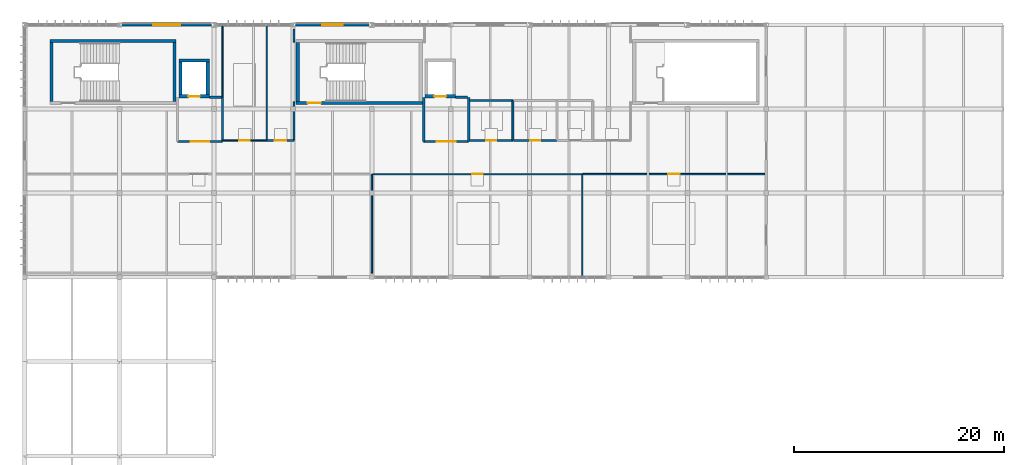
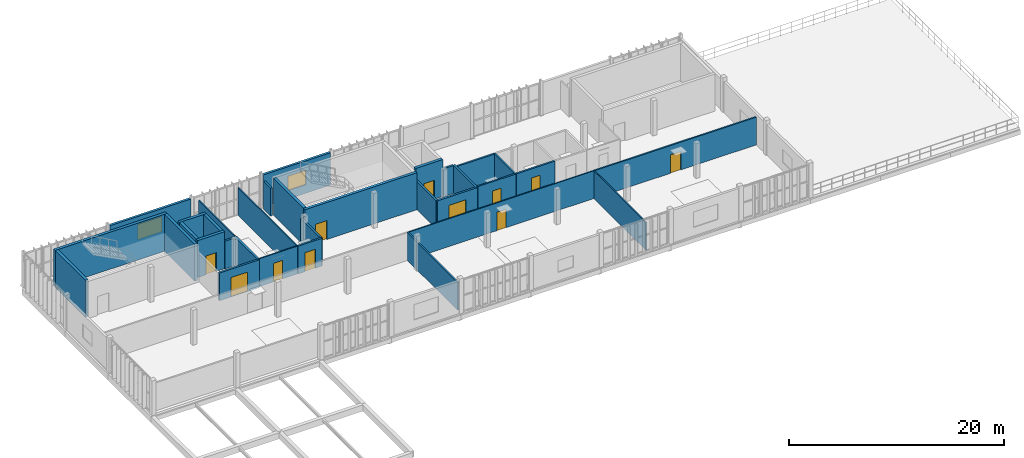
# One storey, part 19 of 26: 33 walls, 11 doors, 2 windows, 13 openings.
"""IFC4 building model written with IfcOpenShell, lengths in metres."""

from ifc_helpers import new_model, si_unit, direction, frame, frame_2d, origin, place, context, subcontext, project, spatial, rectangle, extrude, material, layer, layer_set, type_object, element, fill, save


model = new_model("IFC4")

# Units and contexts
model_context = context("Model", 3, precision=1e-05, world=origin(), true_north=direction((0.0, 1.0)))
body_context = subcontext(model_context, "Body", "Model", "MODEL_VIEW")
ifc_project = project(units=[si_unit("LENGTHUNIT", "METRE"), si_unit("AREAUNIT", "SQUARE_METRE"), si_unit("VOLUMEUNIT", "CUBIC_METRE"), si_unit("PLANEANGLEUNIT", "RADIAN"), si_unit("MASSUNIT", "GRAM", prefix="KILO")], contexts=[model_context])

# Site, building, storey
site_placement = place(None, origin())
site = spatial("IfcSite", under=ifc_project, at=site_placement, CompositionType="ELEMENT")
building_placement = place(site_placement, origin())
building = spatial("IfcBuilding", under=site, at=building_placement, Name="Vourika Railside Aquatics Centre", CompositionType="ELEMENT")
storey_placement = place(building_placement, frame((0.0, 0.0, 17.699951171875)))
storey = spatial("IfcBuildingStorey", under=building, at=storey_placement, Name="L04", CompositionType="ELEMENT", Elevation=17.699951171875)

# Walls
ifc_material_1 = material(Name="Concrete C40/50", Category="concrete")
ifc_layer_1 = layer(ifc_material_1, 0.300048828125, Name="WL-CORE")
ifc_layer_set_1 = layer_set([ifc_layer_1], Name="Concrete C40/50")
wall_type_1 = type_object("IfcWallType", Name="WL-CORE", PredefinedType="SHEAR", material=ifc_layer_set_1)
wall_1_placement = place(storey_placement, frame((32.39990234375, 114.449951171875, 0.0), z_axis=(0.0, 0.0, 1.0), x_axis=(-1.0, 0.0, 0.0)))
element("IfcWall", 1, at=wall_1_placement, inside=storey, type_object=wall_type_1, Name="Protected Exit Stair Core ST01 North Wall (L04)", PredefinedType="SHEAR", context=body_context, shape_type="SweptSolid", body=[
    extrude(rectangle(XDim=12.0, YDim=0.300048828125, at=frame_2d((6.0, 0.0))), origin(), (0.0, 0.0, 1.0), 4.199951171875),
])
for number, where, z_axis, x_axis, name in (
    (2, (20.550048828125, 114.300048828125, 0.0), (0.0, 0.0, 1.0), (0.0, -1.0, 0.0), "Protected Exit Stair Core ST01 West Wall (L04)"),
    (3, (32.25, 108.699951171875, 0.0), (0.0, 0.0, 1.0), (0.0, 1.0, 0.0), "Protected Exit Stair Core ST01 East Wall (L04)"),
):
    element("IfcWall", number, at=place(storey_placement, frame(where, z_axis=z_axis, x_axis=x_axis)), inside=storey, type_object=wall_type_1, Name=name, PredefinedType="SHEAR", context=body_context, shape_type="SweptSolid", body=[
        extrude(rectangle(XDim=5.60009765625, YDim=0.300048828125, at=frame_2d((2.800048828125, 0.0))), origin(), (0.0, 0.0, 1.0), 4.199951171875),
    ])

# Wall, opening, door
wall_2_placement = place(storey_placement, frame((43.800048828125, 108.550048828125, 0.0), z_axis=(0.0, 0.0, 1.0), x_axis=(1.0, 0.0, 0.0)))
wall_2 = element("IfcWall", 4, at=wall_2_placement, inside=storey, type_object=wall_type_1, Name="Protected Exit Stair Core ST02 South Wall (L04)", PredefinedType="SHEAR", context=body_context, shape_type="SweptSolid", body=[
    extrude(rectangle(XDim=12.0, YDim=0.300048828125, at=frame_2d((6.0, 0.0))), origin(), (0.0, 0.0, 1.0), 4.199951171875),
])
opening_1_placement = place(wall_2_placement, frame((1.10009765625, 0.0, 0.0)))
opening_1 = element("IfcOpeningElement", 5, at=opening_1_placement, cuts=wall_2, Name="Opening DF02", PredefinedType="OPENING", context=body_context, shape_type="SweptSolid", body=[
    extrude(rectangle(XDim=1.25, YDim=2.14990234375, at=frame_2d((0.625, 1.074951171875))), frame((0.0, 0.16015625, 0.0), z_axis=(0.0, -1.0, 0.0), x_axis=(1.0, 0.0, 0.0)), (0.0, 0.0, 1.0), 0.320068359375),
])
ifc_material_2 = material(Name="Fire-rated wide exit stair door")
door_type_1 = type_object("IfcDoorType", Name="DR-FD60-125", OperationType="NOTDEFINED", PredefinedType="DOOR", material=ifc_material_2)
door_1_placement = place(opening_1_placement, origin())
door_1 = element("IfcDoor", 6, at=door_1_placement, inside=storey, type_object=door_type_1, Name="Protected Exit Stair Core ST02 Enclosure Fire Door (L04)", OperationType="SINGLE_SWING_RIGHT", OverallHeight=2.14990234375, OverallWidth=1.25, PredefinedType="DOOR", context=body_context, shape_type="SweptSolid", body=[
    extrude(rectangle(XDim=1.25, YDim=2.14990234375, at=frame_2d((0.625, 1.074951171875))), frame((0.0, 0.02490234375, 0.0), z_axis=(0.0, -1.0, 0.0), x_axis=(1.0, 0.0, 0.0)), (0.0, 0.0, 1.0), 0.050048828125),
])
fill(opening_1, door_1)

# Wall
wall_3_placement = place(storey_placement, frame((43.949951171875, 114.300048828125, 0.0), z_axis=(0.0, 0.0, 1.0), x_axis=(0.0, -1.0, 0.0)))
element("IfcWall", 7, at=wall_3_placement, inside=storey, type_object=wall_type_1, Name="Protected Exit Stair Core ST02 West Wall (L04)", PredefinedType="SHEAR", context=body_context, shape_type="SweptSolid", body=[
    extrude(rectangle(XDim=5.60009765625, YDim=0.300048828125, at=frame_2d((2.800048828125, 0.0))), origin(), (0.0, 0.0, 1.0), 4.199951171875),
])

# Wall, opening, door
wall_4_placement = place(storey_placement, frame((32.64990234375, 109.199951171875, 0.0), z_axis=(0.0, 0.0, 1.0), x_axis=(1.0, 0.0, 0.0)))
wall_4 = element("IfcWall", 8, at=wall_4_placement, inside=storey, type_object=wall_type_1, Name="Lift LF01 Shaft South Wall (L04)", PredefinedType="SHEAR", context=body_context, shape_type="SweptSolid", body=[
    extrude(rectangle(XDim=2.900146484375, YDim=0.300048828125, at=frame_2d((1.4501953125, 0.0))), origin(), (0.0, 0.0, 1.0), 4.199951171875),
])
opening_2_placement = place(wall_4_placement, frame((0.89990234375, 0.0, 0.0)))
opening_2 = element("IfcOpeningElement", 9, at=opening_2_placement, cuts=wall_4, Name="Opening LD01", PredefinedType="OPENING", context=body_context, shape_type="SweptSolid", body=[
    extrude(rectangle(XDim=1.10009765625, YDim=2.14990234375, at=frame_2d((0.550048828125, 1.074951171875))), frame((0.0, 0.16015625, 0.0), z_axis=(0.0, -1.0, 0.0), x_axis=(1.0, 0.0, 0.0)), (0.0, 0.0, 1.0), 0.320068359375),
])
ifc_material_3 = material(Name="Stainless firefighting lift landing door")
door_type_2 = type_object("IfcDoorType", Name="DR-LIFT-LD1", OperationType="DOUBLE_DOOR_SLIDING", PredefinedType="DOOR", material=ifc_material_3)
door_2_placement = place(opening_2_placement, origin())
door_2 = element("IfcDoor", 10, at=door_2_placement, inside=storey, type_object=door_type_2, Name="Lift LF01 Sliding Landing Door (L04)", OperationType="DOUBLE_DOOR_SLIDING", OverallHeight=2.14990234375, OverallWidth=1.10009765625, PredefinedType="DOOR", context=body_context, shape_type="SweptSolid", body=[
    extrude(rectangle(XDim=1.10009765625, YDim=2.14990234375, at=frame_2d((0.550048828125, 1.074951171875))), frame((0.0, 0.02490234375, 0.0), z_axis=(0.0, -1.0, 0.0), x_axis=(1.0, 0.0, 0.0)), (0.0, 0.0, 1.0), 0.050048828125),
])
fill(opening_2, door_2)

# Walls
wall_5_placement = place(storey_placement, frame((35.550048828125, 112.60009765625, 0.0), z_axis=(0.0, 0.0, 1.0), x_axis=(-1.0, 0.0, 0.0)))
element("IfcWall", 11, at=wall_5_placement, inside=storey, type_object=wall_type_1, Name="Lift LF01 Shaft North Wall (L04)", PredefinedType="SHEAR", context=body_context, shape_type="SweptSolid", body=[
    extrude(rectangle(XDim=2.900146484375, YDim=0.300048828125, at=frame_2d((1.4501953125, 0.0))), origin(), (0.0, 0.0, 1.0), 4.199951171875),
])
for number, where, z_axis, x_axis, name in (
    (12, (32.800048828125, 112.60009765625, 0.0), (0.0, 0.0, 1.0), (0.0, -1.0, 0.0), "Lift LF01 Shaft West Wall (L04)"),
    (13, (35.39990234375, 109.199951171875, 0.0), (0.0, 0.0, 1.0), (0.0, 1.0, 0.0), "Lift LF01 Shaft East Wall (L04)"),
):
    element("IfcWall", number, at=place(storey_placement, frame(where, z_axis=z_axis, x_axis=x_axis)), inside=storey, type_object=wall_type_1, Name=name, PredefinedType="SHEAR", context=body_context, shape_type="SweptSolid", body=[
        extrude(rectangle(XDim=3.400146484375, YDim=0.300048828125, at=frame_2d((1.7001953125, 0.0))), origin(), (0.0, 0.0, 1.0), 4.199951171875),
    ])

# Wall, opening, door
wall_6_placement = place(storey_placement, frame((56.050048828125, 109.199951171875, 0.0), z_axis=(0.0, 0.0, 1.0), x_axis=(1.0, 0.0, 0.0)))
wall_6 = element("IfcWall", 14, at=wall_6_placement, inside=storey, type_object=wall_type_1, Name="Lift LF02 Shaft South Wall (L04)", PredefinedType="SHEAR", context=body_context, shape_type="SweptSolid", body=[
    extrude(rectangle(XDim=2.89990234375, YDim=0.300048828125, at=frame_2d((1.449951171875, 0.0))), origin(), (0.0, 0.0, 1.0), 4.199951171875),
])
opening_3_placement = place(wall_6_placement, frame((0.89990234375, 0.0, 0.0)))
opening_3 = element("IfcOpeningElement", 15, at=opening_3_placement, cuts=wall_6, Name="Opening LD01", PredefinedType="OPENING", context=body_context, shape_type="SweptSolid", body=[
    extrude(rectangle(XDim=1.10009765625, YDim=2.14990234375, at=frame_2d((0.550048828125, 1.074951171875))), frame((0.0, 0.16015625, 0.0), z_axis=(0.0, -1.0, 0.0), x_axis=(1.0, 0.0, 0.0)), (0.0, 0.0, 1.0), 0.320068359375),
])
door_3_placement = place(opening_3_placement, origin())
door_3 = element("IfcDoor", 16, at=door_3_placement, inside=storey, type_object=door_type_2, Name="Lift LF02 Sliding Landing Door (L04)", OperationType="DOUBLE_DOOR_SLIDING", OverallHeight=2.14990234375, OverallWidth=1.10009765625, PredefinedType="DOOR", context=body_context, shape_type="SweptSolid", body=[
    extrude(rectangle(XDim=1.10009765625, YDim=2.14990234375, at=frame_2d((0.550048828125, 1.074951171875))), frame((0.0, 0.02490234375, 0.0), z_axis=(0.0, -1.0, 0.0), x_axis=(1.0, 0.0, 0.0)), (0.0, 0.0, 1.0), 0.050048828125),
])
fill(opening_3, door_3)

# Wall, opening, window
ifc_material_4 = material(Name="Precast concrete C40/50", Category="concrete")
ifc_layer_2 = layer(ifc_material_4, 0.25, Name="WL-EXT-250")
ifc_layer_set_2 = layer_set([ifc_layer_2], Name="Precast concrete C40/50")
wall_type_2 = type_object("IfcWallType", Name="WL-EXT-250", PredefinedType="SOLIDWALL", material=ifc_layer_set_2)
wall_7_placement = place(storey_placement, frame((35.85009765625, 116.0, 0.0), z_axis=(0.0, 0.0, 1.0), x_axis=(-1.0, 0.0, 0.0)))
wall_7 = element("IfcWall", 17, at=wall_7_placement, inside=storey, type_object=wall_type_2, Name="North Boulevard Precast Bay L04-2", PredefinedType="SOLIDWALL", context=body_context, shape_type="SweptSolid", body=[
    extrude(rectangle(XDim=8.7001953125, YDim=0.25, at=frame_2d((4.35009765625, 0.0))), origin(), (0.0, 0.0, 1.0), 3.670166015625),
])
opening_4_placement = place(wall_7_placement, frame((3.050048828125, 0.0, 0.949951171875)))
opening_4 = element("IfcOpeningElement", 18, at=opening_4_placement, cuts=wall_7, Name="Opening W14", PredefinedType="OPENING", context=body_context, shape_type="SweptSolid", body=[
    extrude(rectangle(XDim=2.60009765625, YDim=1.75, at=frame_2d((1.300048828125, 0.875))), frame((0.0, 0.135009765625, 0.0), z_axis=(0.0, -1.0, 0.0), x_axis=(1.0, 0.0, 0.0)), (0.0, 0.0, 1.0), 0.27001953125),
])
ifc_material_5 = material(Name="Laminated solar-control glass", Category="glass")
window_type_1 = type_object("IfcWindowType", Name="WN-ACD-260x175", PartitioningType="DOUBLE_PANEL_VERTICAL", PredefinedType="WINDOW", material=ifc_material_5)
window_1_placement = place(opening_4_placement, origin())
window_1 = element("IfcWindow", 19, at=window_1_placement, inside=storey, type_object=window_type_1, Name="North Boulevard Studio Window L04-2", OverallHeight=1.75, OverallWidth=2.60009765625, PartitioningType="SINGLE_PANEL", PredefinedType="WINDOW", context=body_context, shape_type="SweptSolid", body=[
    extrude(rectangle(XDim=2.60009765625, YDim=1.75, at=frame_2d((1.300048828125, 0.875))), frame((0.0, 0.030029296875, 0.0), z_axis=(0.0, -1.0, 0.0), x_axis=(1.0, 0.0, 0.0)), (0.0, 0.0, 1.0), 0.06005859375),
])
fill(opening_4, window_1)

wall_8_placement = place(storey_placement, frame((50.85009765625, 116.0, 0.0), z_axis=(0.0, 0.0, 1.0), x_axis=(-1.0, 0.0, 0.0)))
wall_8 = element("IfcWall", 20, at=wall_8_placement, inside=storey, type_object=wall_type_2, Name="North Boulevard Precast Bay L04-4", PredefinedType="SOLIDWALL", context=body_context, shape_type="SweptSolid", body=[
    extrude(rectangle(XDim=7.2001953125, YDim=0.25, at=frame_2d((3.60009765625, 0.0))), origin(), (0.0, 0.0, 1.0), 3.670166015625),
])
opening_5_placement = place(wall_8_placement, frame((2.625, 0.0, 0.949951171875)))
opening_5 = element("IfcOpeningElement", 21, at=opening_5_placement, cuts=wall_8, Name="Opening W05", PredefinedType="OPENING", context=body_context, shape_type="SweptSolid", body=[
    extrude(rectangle(XDim=1.949951171875, YDim=1.64990234375, at=frame_2d((0.97509765625, 0.824951171875))), frame((0.0, 0.135009765625, 0.0), z_axis=(0.0, -1.0, 0.0), x_axis=(1.0, 0.0, 0.0)), (0.0, 0.0, 1.0), 0.27001953125),
])
window_type_2 = type_object("IfcWindowType", Name="WN-FIT-195x165", PartitioningType="DOUBLE_PANEL_VERTICAL", PredefinedType="WINDOW", material=ifc_material_5)
window_2_placement = place(opening_5_placement, origin())
window_2 = element("IfcWindow", 22, at=window_2_placement, inside=storey, type_object=window_type_2, Name="North Boulevard Studio Window L04-4", OverallHeight=1.64990234375, OverallWidth=1.949951171875, PartitioningType="SINGLE_PANEL", PredefinedType="WINDOW", context=body_context, shape_type="SweptSolid", body=[
    extrude(rectangle(XDim=1.949951171875, YDim=1.64990234375, at=frame_2d((0.97509765625, 0.824951171875))), frame((0.0, 0.030029296875, 0.0), z_axis=(0.0, -1.0, 0.0), x_axis=(1.0, 0.0, 0.0)), (0.0, 0.0, 1.0), 0.06005859375),
])
fill(opening_5, window_2)

# Wall, opening, door
ifc_material_6 = material(Name="Concrete C35/45", Category="concrete")
ifc_layer_3 = layer(ifc_material_6, 0.219970703125, Name="WL-FIRE")
ifc_layer_set_3 = layer_set([ifc_layer_3], Name="Concrete C35/45")
wall_type_3 = type_object("IfcWallType", Name="WL-FIRE", PredefinedType="SOLIDWALL", material=ifc_layer_set_3)
wall_9_placement = place(storey_placement, frame((32.52001953125, 104.89990234375, 0.0), z_axis=(0.0, 0.0, 1.0), x_axis=(1.0, 0.0, 0.0)))
wall_9 = element("IfcWall", 23, at=wall_9_placement, inside=storey, type_object=wall_type_3, Name="Lift LF01 Lobby Corridor Fire Wall (L04)", PredefinedType="SOLIDWALL", context=body_context, shape_type="SweptSolid", body=[
    extrude(rectangle(XDim=4.280029296875, YDim=0.219970703125, at=frame_2d((2.14013671875, 0.0))), origin(), (0.0, 0.0, 1.0), 3.150146484375),
])
opening_6_placement = place(wall_9_placement, frame((1.239990234375, 0.0, 0.0)))
opening_6 = element("IfcOpeningElement", 24, at=opening_6_placement, cuts=wall_9, Name="Opening DF03", PredefinedType="OPENING", context=body_context, shape_type="SweptSolid", body=[
    extrude(rectangle(XDim=1.800048828125, YDim=2.199951171875, at=frame_2d((0.89990234375, 1.10009765625))), frame((0.0, 0.1201171875, 0.0), z_axis=(0.0, -1.0, 0.0), x_axis=(1.0, 0.0, 0.0)), (0.0, 0.0, 1.0), 0.239990234375),
])
ifc_material_7 = material(Name="Fire-rated double lobby door")
door_type_3 = type_object("IfcDoorType", Name="DR-FD60D", OperationType="DOUBLE_DOOR_SINGLE_SWING", PredefinedType="DOOR", material=ifc_material_7)
door_4_placement = place(opening_6_placement, origin())
door_4 = element("IfcDoor", 25, at=door_4_placement, inside=storey, type_object=door_type_3, Name="Lift LF01 Lobby Fire Door (L04)", OperationType="DOUBLE_DOOR_SINGLE_SWING", OverallHeight=2.199951171875, OverallWidth=1.800048828125, PredefinedType="DOOR", context=body_context, shape_type="SweptSolid", body=[
    extrude(rectangle(XDim=1.800048828125, YDim=2.199951171875, at=frame_2d((0.89990234375, 1.10009765625))), frame((0.0, 0.02490234375, 0.0), z_axis=(0.0, -1.0, 0.0), x_axis=(1.0, 0.0, 0.0)), (0.0, 0.0, 1.0), 0.050048828125),
])
fill(opening_6, door_4)

# Walls
wall_10_placement = place(storey_placement, frame((36.800048828125, 104.89990234375, 0.0), z_axis=(0.0, 0.0, 1.0), x_axis=(0.0, 1.0, 0.0)))
element("IfcWall", 26, at=wall_10_placement, inside=storey, type_object=wall_type_3, Name="Lift LF01 Lobby East Fire Wall (L04)", PredefinedType="SOLIDWALL", context=body_context, shape_type="SweptSolid", body=[
    extrude(rectangle(XDim=4.2001953125, YDim=0.219970703125, at=frame_2d((2.10009765625, 0.0))), origin(), (0.0, 0.0, 1.0), 3.150146484375),
])
wall_11_placement = place(storey_placement, frame((35.550048828125, 109.10009765625, 0.0), z_axis=(0.0, 0.0, 1.0), x_axis=(1.0, 0.0, 0.0)))
element("IfcWall", 27, at=wall_11_placement, inside=storey, type_object=wall_type_3, Name="Lift LF01 Lobby North-East Closure Wall (L04)", PredefinedType="SOLIDWALL", context=body_context, shape_type="SweptSolid", body=[
    extrude(rectangle(XDim=1.1298828125, YDim=0.219970703125, at=frame_2d((0.56494140625, 0.0))), origin(), (0.0, 0.0, 1.0), 3.150146484375),
])

# Wall, opening, door
wall_12_placement = place(storey_placement, frame((55.919921875, 104.89990234375, 0.0), z_axis=(0.0, 0.0, 1.0), x_axis=(1.0, 0.0, 0.0)))
wall_12 = element("IfcWall", 28, at=wall_12_placement, inside=storey, type_object=wall_type_3, Name="Lift LF02 Lobby Corridor Fire Wall (L04)", PredefinedType="SOLIDWALL", context=body_context, shape_type="SweptSolid", body=[
    extrude(rectangle(XDim=4.280029296875, YDim=0.219970703125, at=frame_2d((2.14013671875, 0.0))), origin(), (0.0, 0.0, 1.0), 3.150146484375),
])
opening_7_placement = place(wall_12_placement, frame((1.239990234375, 0.0, 0.0)))
opening_7 = element("IfcOpeningElement", 29, at=opening_7_placement, cuts=wall_12, Name="Opening DF03", PredefinedType="OPENING", context=body_context, shape_type="SweptSolid", body=[
    extrude(rectangle(XDim=1.800048828125, YDim=2.199951171875, at=frame_2d((0.89990234375, 1.10009765625))), frame((0.0, 0.1201171875, 0.0), z_axis=(0.0, -1.0, 0.0), x_axis=(1.0, 0.0, 0.0)), (0.0, 0.0, 1.0), 0.239990234375),
])
door_5_placement = place(opening_7_placement, origin())
door_5 = element("IfcDoor", 30, at=door_5_placement, inside=storey, type_object=door_type_3, Name="Lift LF02 Lobby Fire Door (L04)", OperationType="DOUBLE_DOOR_SINGLE_SWING", OverallHeight=2.199951171875, OverallWidth=1.800048828125, PredefinedType="DOOR", context=body_context, shape_type="SweptSolid", body=[
    extrude(rectangle(XDim=1.800048828125, YDim=2.199951171875, at=frame_2d((0.89990234375, 1.10009765625))), frame((0.0, 0.02490234375, 0.0), z_axis=(0.0, -1.0, 0.0), x_axis=(1.0, 0.0, 0.0)), (0.0, 0.0, 1.0), 0.050048828125),
])
fill(opening_7, door_5)

# Walls
for number, where, z_axis, x_axis, name in (
    (31, (55.919921875, 104.89990234375, 0.0), (0.0, 0.0, 1.0), (0.0, 1.0, 0.0), "Lift LF02 Lobby West Fire Wall (L04)"),
    (32, (60.199951171875, 104.89990234375, 0.0), (0.0, 0.0, 1.0), (0.0, 1.0, 0.0), "Lift LF02 Lobby East Fire Wall (L04)"),
):
    element("IfcWall", number, at=place(storey_placement, frame(where, z_axis=z_axis, x_axis=x_axis)), inside=storey, type_object=wall_type_3, Name=name, PredefinedType="SOLIDWALL", context=body_context, shape_type="SweptSolid", body=[
        extrude(rectangle(XDim=4.2001953125, YDim=0.219970703125, at=frame_2d((2.10009765625, 0.0))), origin(), (0.0, 0.0, 1.0), 3.150146484375),
    ])
wall_13_placement = place(storey_placement, frame((58.949951171875, 109.10009765625, 0.0), z_axis=(0.0, 0.0, 1.0), x_axis=(1.0, 0.0, 0.0)))
element("IfcWall", 33, at=wall_13_placement, inside=storey, type_object=wall_type_3, Name="Lift LF02 Lobby North-East Closure Wall (L04)", PredefinedType="SOLIDWALL", context=body_context, shape_type="SweptSolid", body=[
    extrude(rectangle(XDim=1.130126953125, YDim=0.219970703125, at=frame_2d((0.56494140625, 0.0))), origin(), (0.0, 0.0, 1.0), 3.150146484375),
])

# Wall, opening, door
ifc_material_8 = material(Name="Lightweight drylining partition")
ifc_layer_4 = layer(ifc_material_8, 0.1201171875, Name="WL-PART-120")
ifc_layer_set_4 = layer_set([ifc_layer_4], Name="Lightweight drylining partition")
wall_type_4 = type_object("IfcWallType", Name="WL-PART-120", PredefinedType="PARTITIONING", material=ifc_layer_set_4)
wall_14_placement = place(storey_placement, frame((51.06005859375, 101.800048828125, 0.0), z_axis=(0.0, 0.0, 1.0), x_axis=(1.0, 0.0, 0.0)))
wall_14 = element("IfcWall", 34, at=wall_14_placement, inside=storey, type_object=wall_type_4, Name="Sports Nutrition Teaching Kitchen Partition 1", PredefinedType="PARTITIONING", context=body_context, shape_type="SweptSolid", body=[
    extrude(rectangle(XDim=19.93994140625, YDim=0.1201171875, at=frame_2d((9.969970703125, 0.0))), origin(), (0.0, 0.0, 1.0), 3.150146484375),
])
opening_8_placement = place(wall_14_placement, frame((9.469970703125, 0.0, 0.0)))
opening_8 = element("IfcOpeningElement", 35, at=opening_8_placement, cuts=wall_14, Name="Opening DI01", PredefinedType="OPENING", context=body_context, shape_type="SweptSolid", body=[
    extrude(rectangle(XDim=1.0, YDim=2.10009765625, at=frame_2d((0.5, 1.050048828125))), frame((0.0, 0.070068359375, 0.0), z_axis=(0.0, -1.0, 0.0), x_axis=(1.0, 0.0, 0.0)), (0.0, 0.0, 1.0), 0.14013671875),
])
ifc_material_9 = material(Name="Anodized aluminium and laminate door", Category="aluminium")
door_type_4 = type_object("IfcDoorType", Name="DR-INT-1000", OperationType="NOTDEFINED", PredefinedType="DOOR", material=ifc_material_9)
door_6_placement = place(opening_8_placement, origin())
door_6 = element("IfcDoor", 36, at=door_6_placement, inside=storey, type_object=door_type_4, Name="Sports Nutrition Teaching Kitchen Door", OperationType="SINGLE_SWING_RIGHT", OverallHeight=2.10009765625, OverallWidth=1.0, PredefinedType="DOOR", context=body_context, shape_type="SweptSolid", body=[
    extrude(rectangle(XDim=1.0, YDim=2.10009765625, at=frame_2d((0.5, 1.050048828125))), frame((0.0, 0.02490234375, 0.0), z_axis=(0.0, -1.0, 0.0), x_axis=(1.0, 0.0, 0.0)), (0.0, 0.0, 1.0), 0.050048828125),
])
fill(opening_8, door_6)

# Wall
wall_15_placement = place(storey_placement, frame((71.0, 101.800048828125, 0.0), z_axis=(0.0, 0.0, 1.0), x_axis=(0.0, -1.0, 0.0)))
element("IfcWall", 37, at=wall_15_placement, inside=storey, type_object=wall_type_4, Name="Sports Nutrition Teaching Kitchen Partition 3", PredefinedType="PARTITIONING", context=body_context, shape_type="SweptSolid", body=[
    extrude(rectangle(XDim=9.75244140625, YDim=0.1201171875, at=frame_2d((4.876220703125, 0.0))), origin(), (0.0, 0.0, 1.0), 3.150146484375),
])

# Wall, opening, door
wall_16_placement = place(storey_placement, frame((41.0, 105.0, 0.0), z_axis=(0.0, 0.0, 1.0), x_axis=(-1.0, 0.0, 0.0)))
wall_16 = element("IfcWall", 38, at=wall_16_placement, inside=storey, type_object=wall_type_4, Name="National Coaching Classroom West Partition 1", PredefinedType="PARTITIONING", context=body_context, shape_type="SweptSolid", body=[
    extrude(rectangle(XDim=4.199951171875, YDim=0.1201171875, at=frame_2d((2.10009765625, 0.0))), origin(), (0.0, 0.0, 1.0), 3.150146484375),
])
opening_9_placement = place(wall_16_placement, frame((1.60009765625, 0.0, 0.0)))
opening_9 = element("IfcOpeningElement", 39, at=opening_9_placement, cuts=wall_16, Name="Opening DI01", PredefinedType="OPENING", context=body_context, shape_type="SweptSolid", body=[
    extrude(rectangle(XDim=1.0, YDim=2.10009765625, at=frame_2d((0.5, 1.050048828125))), frame((0.0, 0.070068359375, 0.0), z_axis=(0.0, -1.0, 0.0), x_axis=(1.0, 0.0, 0.0)), (0.0, 0.0, 1.0), 0.14013671875),
])
door_7_placement = place(opening_9_placement, origin())
door_7 = element("IfcDoor", 40, at=door_7_placement, inside=storey, type_object=door_type_4, Name="National Coaching Classroom West Door", OperationType="SINGLE_SWING_RIGHT", OverallHeight=2.10009765625, OverallWidth=1.0, PredefinedType="DOOR", context=body_context, shape_type="SweptSolid", body=[
    extrude(rectangle(XDim=1.0, YDim=2.10009765625, at=frame_2d((0.5, 1.050048828125))), frame((0.0, 0.02490234375, 0.0), z_axis=(0.0, -1.0, 0.0), x_axis=(1.0, 0.0, 0.0)), (0.0, 0.0, 1.0), 0.050048828125),
])
fill(opening_9, door_7)

# Walls
wall_17_placement = place(storey_placement, frame((41.0, 115.952392578125, 0.0), z_axis=(0.0, 0.0, 1.0), x_axis=(0.0, -1.0, 0.0)))
element("IfcWall", 41, at=wall_17_placement, inside=storey, type_object=wall_type_4, Name="National Coaching Classroom West Partition 2", PredefinedType="PARTITIONING", context=body_context, shape_type="SweptSolid", body=[
    extrude(rectangle(XDim=10.952392578125, YDim=0.1201171875, at=frame_2d((5.47607421875, 0.0))), origin(), (0.0, 0.0, 1.0), 3.150146484375),
])
wall_18_placement = place(storey_placement, frame((36.800048828125, 109.10009765625, 0.0), z_axis=(0.0, 0.0, 1.0), x_axis=(0.0, 1.0, 0.0)))
element("IfcWall", 42, at=wall_18_placement, inside=storey, type_object=wall_type_4, Name="National Coaching Classroom West Partition 3", PredefinedType="PARTITIONING", context=body_context, shape_type="SweptSolid", body=[
    extrude(rectangle(XDim=6.852294921875, YDim=0.1201171875, at=frame_2d((3.42626953125, 0.0))), origin(), (0.0, 0.0, 1.0), 3.150146484375),
])
ifc_material_10 = material(Name="Acoustic twin-stud partition")
ifc_layer_5 = layer(ifc_material_10, 0.159912109375, Name="WL-PART-160")
ifc_layer_set_5 = layer_set([ifc_layer_5], Name="Acoustic twin-stud partition")
wall_type_5 = type_object("IfcWallType", Name="WL-PART-160", PredefinedType="PARTITIONING", material=ifc_layer_set_5)
wall_19_placement = place(storey_placement, frame((51.0, 101.800048828125, 0.0), z_axis=(0.0, 0.0, 1.0), x_axis=(0.0, -1.0, 0.0)))
element("IfcWall", 43, at=wall_19_placement, inside=storey, type_object=wall_type_5, Name="High-Performance Athletic Conditioning Studio Partition 2", PredefinedType="PARTITIONING", context=body_context, shape_type="SweptSolid", body=[
    extrude(rectangle(XDim=9.400146484375, YDim=0.159912109375, at=frame_2d((4.7001953125, 0.0))), origin(), (0.0, 0.0, 1.0), 3.150146484375),
])

# Wall, opening, door
wall_20_placement = place(storey_placement, frame((71.0400390625, 101.800048828125, 0.0), z_axis=(0.0, 0.0, 1.0), x_axis=(1.0, 0.0, 0.0)))
wall_20 = element("IfcWall", 44, at=wall_20_placement, inside=storey, type_object=wall_type_5, Name="Aquatics Academy Seminar Hall Partition 1", PredefinedType="PARTITIONING", context=body_context, shape_type="SweptSolid", body=[
    extrude(rectangle(XDim=17.35498046875, YDim=0.159912109375, at=frame_2d((8.677490234375, 0.0))), origin(), (0.0, 0.0, 1.0), 3.150146484375),
])
opening_10_placement = place(wall_20_placement, frame((8.12744140625, 0.0, 0.0)))
opening_10 = element("IfcOpeningElement", 45, at=opening_10_placement, cuts=wall_20, Name="Opening DI02", PredefinedType="OPENING", context=body_context, shape_type="SweptSolid", body=[
    extrude(rectangle(XDim=1.10009765625, YDim=2.10009765625, at=frame_2d((0.550048828125, 1.050048828125))), frame((0.0, 0.08984375, 0.0), z_axis=(0.0, -1.0, 0.0), x_axis=(1.0, 0.0, 0.0)), (0.0, 0.0, 1.0), 0.179931640625),
])
ifc_material_11 = material(Name="Accessible clinic and studio door")
door_type_5 = type_object("IfcDoorType", Name="DR-INT-1100", OperationType="NOTDEFINED", PredefinedType="DOOR", material=ifc_material_11)
door_8_placement = place(opening_10_placement, origin())
door_8 = element("IfcDoor", 46, at=door_8_placement, inside=storey, type_object=door_type_5, Name="Aquatics Academy Seminar Hall Door", OperationType="SINGLE_SWING_LEFT", OverallHeight=2.10009765625, OverallWidth=1.10009765625, PredefinedType="DOOR", context=body_context, shape_type="SweptSolid", body=[
    extrude(rectangle(XDim=1.10009765625, YDim=2.10009765625, at=frame_2d((0.550048828125, 1.050048828125))), frame((0.0, 0.02490234375, 0.0), z_axis=(0.0, -1.0, 0.0), x_axis=(1.0, 0.0, 0.0)), (0.0, 0.0, 1.0), 0.050048828125),
])
fill(opening_10, door_8)

ifc_material_12 = material(Name="Moisture-resistant wet-village blockwork", Category="masonry")
ifc_layer_6 = layer(ifc_material_12, 0.179931640625, Name="WL-PART-180")
ifc_layer_set_6 = layer_set([ifc_layer_6], Name="Moisture-resistant wet-village blockwork")
wall_type_6 = type_object("IfcWallType", Name="WL-PART-180", PredefinedType="PARTITIONING", material=ifc_layer_set_6)
wall_21_placement = place(storey_placement, frame((64.39990234375, 105.0, 0.0), z_axis=(0.0, 0.0, 1.0), x_axis=(-1.0, 0.0, 0.0)))
wall_21 = element("IfcWall", 47, at=wall_21_placement, inside=storey, type_object=wall_type_6, Name="Academy Male WC Partition 1", PredefinedType="PARTITIONING", context=body_context, shape_type="SweptSolid", body=[
    extrude(rectangle(XDim=4.10986328125, YDim=0.179931640625, at=frame_2d((2.054931640625, 0.0))), origin(), (0.0, 0.0, 1.0), 3.150146484375),
])
opening_11_placement = place(wall_21_placement, frame((1.580078125, 0.0, 0.0)))
opening_11 = element("IfcOpeningElement", 48, at=opening_11_placement, cuts=wall_21, Name="Opening DW01", PredefinedType="OPENING", context=body_context, shape_type="SweptSolid", body=[
    extrude(rectangle(XDim=0.949951171875, YDim=2.10009765625, at=frame_2d((0.47509765625, 1.050048828125))), frame((0.0, 0.10009765625, 0.0), z_axis=(0.0, -1.0, 0.0), x_axis=(1.0, 0.0, 0.0)), (0.0, 0.0, 1.0), 0.199951171875),
])
ifc_material_13 = material(Name="Moisture-resistant HPL washroom door")
door_type_6 = type_object("IfcDoorType", Name="DR-WC-950", OperationType="NOTDEFINED", PredefinedType="DOOR", material=ifc_material_13)
door_9_placement = place(opening_11_placement, origin())
door_9 = element("IfcDoor", 49, at=door_9_placement, inside=storey, type_object=door_type_6, Name="Academy Male WC Door", OperationType="SINGLE_SWING_LEFT", OverallHeight=2.10009765625, OverallWidth=0.949951171875, PredefinedType="DOOR", context=body_context, shape_type="SweptSolid", body=[
    extrude(rectangle(XDim=0.949951171875, YDim=2.10009765625, at=frame_2d((0.47509765625, 1.050048828125))), frame((0.0, 0.02490234375, 0.0), z_axis=(0.0, -1.0, 0.0), x_axis=(1.0, 0.0, 0.0)), (0.0, 0.0, 1.0), 0.050048828125),
])
fill(opening_11, door_9)

# Walls
wall_22_placement = place(storey_placement, frame((64.39990234375, 108.800048828125, 0.0), z_axis=(0.0, 0.0, 1.0), x_axis=(0.0, -1.0, 0.0)))
element("IfcWall", 50, at=wall_22_placement, inside=storey, type_object=wall_type_6, Name="Academy Male WC Partition 2", PredefinedType="PARTITIONING", context=body_context, shape_type="SweptSolid", body=[
    extrude(rectangle(XDim=3.800048828125, YDim=0.179931640625, at=frame_2d((1.89990234375, 0.0))), origin(), (0.0, 0.0, 1.0), 3.150146484375),
])
wall_23_placement = place(storey_placement, frame((60.2900390625, 108.800048828125, 0.0), z_axis=(0.0, 0.0, 1.0), x_axis=(1.0, 0.0, 0.0)))
element("IfcWall", 51, at=wall_23_placement, inside=storey, type_object=wall_type_6, Name="Academy Male WC Partition 3", PredefinedType="PARTITIONING", context=body_context, shape_type="SweptSolid", body=[
    extrude(rectangle(XDim=4.10986328125, YDim=0.179931640625, at=frame_2d((2.054931640625, 0.0))), origin(), (0.0, 0.0, 1.0), 3.150146484375),
])

# Wall, opening, door
wall_24_placement = place(storey_placement, frame((68.60009765625, 105.0, 0.0), z_axis=(0.0, 0.0, 1.0), x_axis=(-1.0, 0.0, 0.0)))
wall_24 = element("IfcWall", 52, at=wall_24_placement, inside=storey, type_object=wall_type_6, Name="Academy Female WC Partition 1", PredefinedType="PARTITIONING", context=body_context, shape_type="SweptSolid", body=[
    extrude(rectangle(XDim=4.130126953125, YDim=0.179931640625, at=frame_2d((2.06494140625, 0.0))), origin(), (0.0, 0.0, 1.0), 3.150146484375),
])
opening_12_placement = place(wall_24_placement, frame((1.590087890625, 0.0, 0.0)))
opening_12 = element("IfcOpeningElement", 53, at=opening_12_placement, cuts=wall_24, Name="Opening DW01", PredefinedType="OPENING", context=body_context, shape_type="SweptSolid", body=[
    extrude(rectangle(XDim=0.949951171875, YDim=2.10009765625, at=frame_2d((0.47509765625, 1.050048828125))), frame((0.0, 0.10009765625, 0.0), z_axis=(0.0, -1.0, 0.0), x_axis=(1.0, 0.0, 0.0)), (0.0, 0.0, 1.0), 0.199951171875),
])
door_10_placement = place(opening_12_placement, origin())
door_10 = element("IfcDoor", 54, at=door_10_placement, inside=storey, type_object=door_type_6, Name="Academy Female WC Door", OperationType="SINGLE_SWING_RIGHT", OverallHeight=2.10009765625, OverallWidth=0.949951171875, PredefinedType="DOOR", context=body_context, shape_type="SweptSolid", body=[
    extrude(rectangle(XDim=0.949951171875, YDim=2.10009765625, at=frame_2d((0.47509765625, 1.050048828125))), frame((0.0, 0.02490234375, 0.0), z_axis=(0.0, -1.0, 0.0), x_axis=(1.0, 0.0, 0.0)), (0.0, 0.0, 1.0), 0.050048828125),
])
fill(opening_12, door_10)

ifc_material_14 = material(Name="Acoustic masonry blockwork", Category="masonry")
ifc_layer_7 = layer(ifc_material_14, 0.199951171875, Name="WL-PART-200")
ifc_layer_set_7 = layer_set([ifc_layer_7], Name="Acoustic masonry blockwork")
wall_type_7 = type_object("IfcWallType", Name="WL-PART-200", PredefinedType="PARTITIONING", material=ifc_layer_set_7)
wall_25_placement = place(storey_placement, frame((43.60009765625, 105.0, 0.0), z_axis=(0.0, 0.0, 1.0), x_axis=(-1.0, 0.0, 0.0)))
wall_25 = element("IfcWall", 55, at=wall_25_placement, inside=storey, type_object=wall_type_7, Name="Academy Audio-Visual and Training Store Partition 1", PredefinedType="PARTITIONING", context=body_context, shape_type="SweptSolid", body=[
    extrude(rectangle(XDim=2.56005859375, YDim=0.199951171875, at=frame_2d((1.280029296875, 0.0))), origin(), (0.0, 0.0, 1.0), 3.150146484375),
])
opening_13_placement = place(wall_25_placement, frame((0.72998046875, 0.0, 0.0)))
opening_13 = element("IfcOpeningElement", 56, at=opening_13_placement, cuts=wall_25, Name="Opening DF01", PredefinedType="OPENING", context=body_context, shape_type="SweptSolid", body=[
    extrude(rectangle(XDim=1.10009765625, YDim=2.14990234375, at=frame_2d((0.550048828125, 1.074951171875))), frame((0.0, 0.10986328125, 0.0), z_axis=(0.0, -1.0, 0.0), x_axis=(1.0, 0.0, 0.0)), (0.0, 0.0, 1.0), 0.219970703125),
])
ifc_material_15 = material(Name="Fire-rated steel and timber core door", Category="steel")
door_type_7 = type_object("IfcDoorType", Name="DR-FD60", OperationType="NOTDEFINED", PredefinedType="DOOR", material=ifc_material_15)
door_11_placement = place(opening_13_placement, origin())
door_11 = element("IfcDoor", 57, at=door_11_placement, inside=storey, type_object=door_type_7, Name="Academy Audio-Visual and Training Store Door", OperationType="SINGLE_SWING_RIGHT", OverallHeight=2.14990234375, OverallWidth=1.10009765625, PredefinedType="DOOR", context=body_context, shape_type="SweptSolid", body=[
    extrude(rectangle(XDim=1.10009765625, YDim=2.14990234375, at=frame_2d((0.550048828125, 1.074951171875))), frame((0.0, 0.02490234375, 0.0), z_axis=(0.0, -1.0, 0.0), x_axis=(1.0, 0.0, 0.0)), (0.0, 0.0, 1.0), 0.050048828125),
])
fill(opening_13, door_11)

# Walls
wall_26_placement = place(storey_placement, frame((43.60009765625, 108.699951171875, 0.0), z_axis=(0.0, 0.0, 1.0), x_axis=(0.0, -1.0, 0.0)))
element("IfcWall", 58, at=wall_26_placement, inside=storey, type_object=wall_type_7, Name="Academy Audio-Visual and Training Store Partition 2", PredefinedType="PARTITIONING", context=body_context, shape_type="SweptSolid", body=[
    extrude(rectangle(XDim=3.699951171875, YDim=0.199951171875, at=frame_2d((1.85009765625, 0.0))), origin(), (0.0, 0.0, 1.0), 3.150146484375),
])
wall_27_placement = place(storey_placement, frame((43.60009765625, 115.60009765625, 0.0), z_axis=(0.0, 0.0, 1.0), x_axis=(0.0, -1.0, 0.0)))
element("IfcWall", 59, at=wall_27_placement, inside=storey, type_object=wall_type_7, Name="Academy Audio-Visual and Training Store Partition 4", PredefinedType="PARTITIONING", context=body_context, shape_type="SweptSolid", body=[
    extrude(rectangle(XDim=1.300048828125, YDim=0.199951171875, at=frame_2d((0.64990234375, 0.0))), origin(), (0.0, 0.0, 1.0), 3.150146484375),
])

save(model, "model.ifc")
